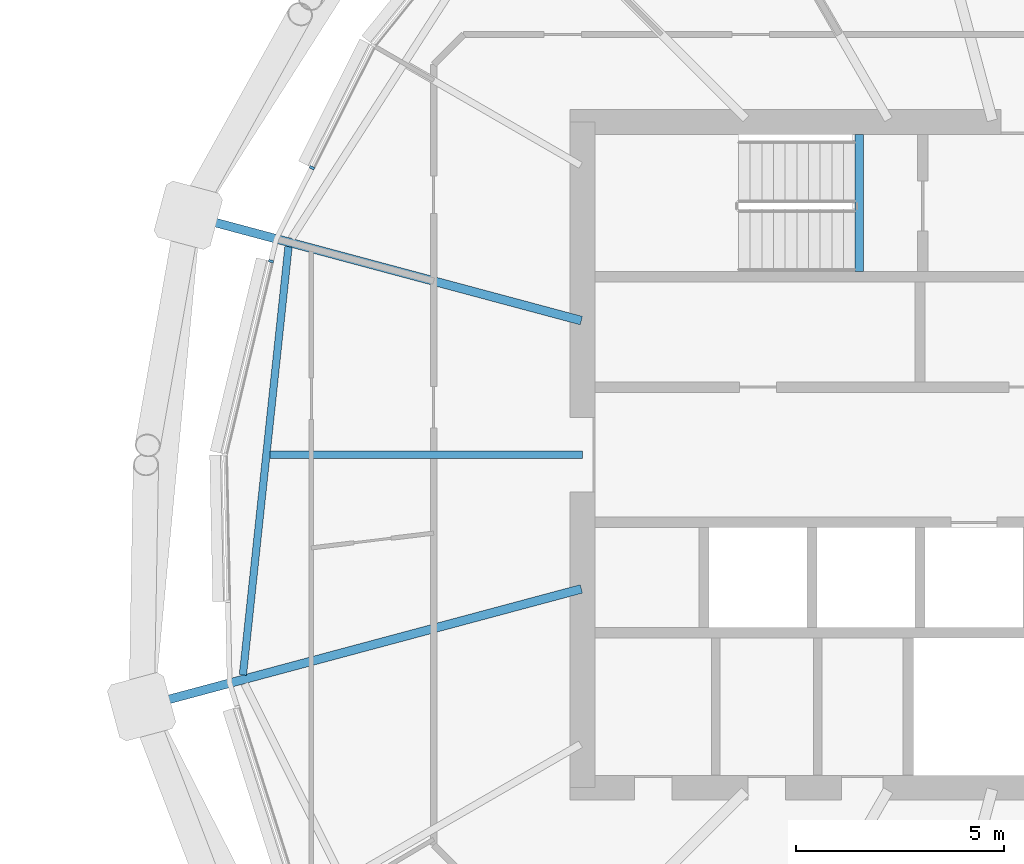
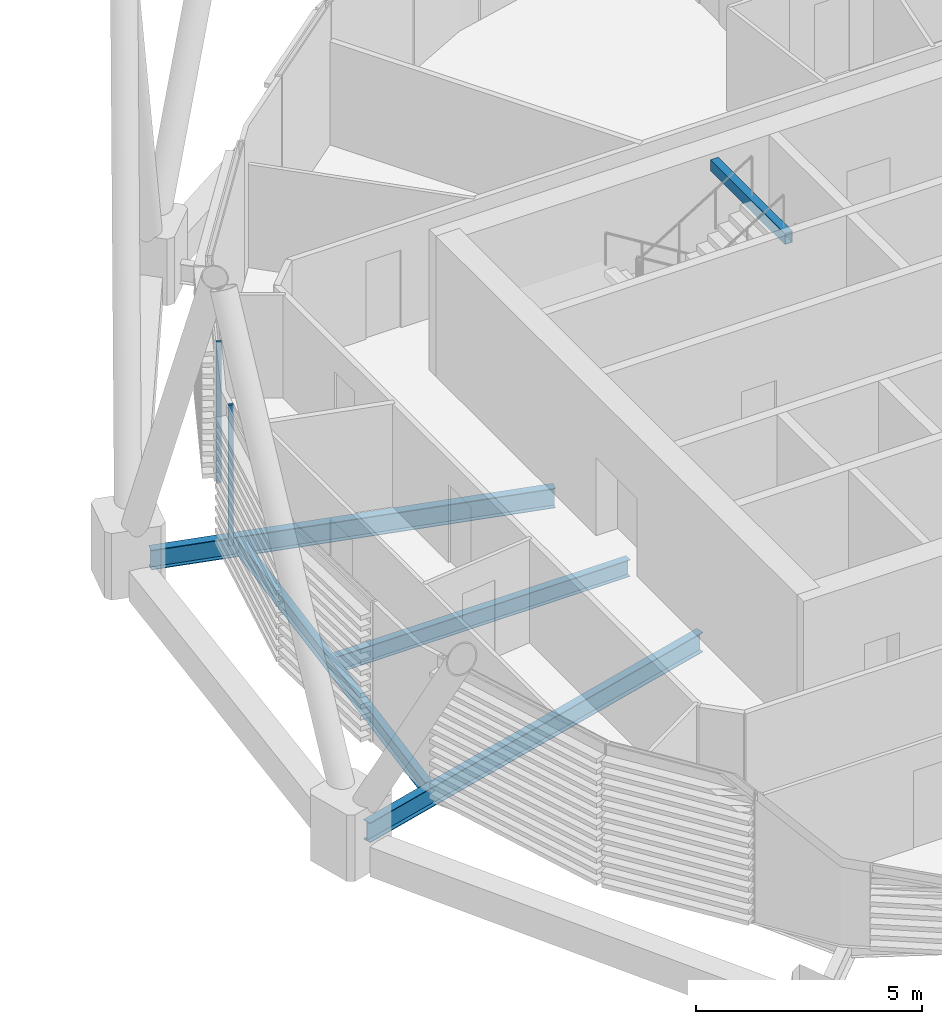
# One storey, part 16 of 35: 5 beams, 2 members, 1 element without a shape of its own.
"""IFC4 building model written with IfcOpenShell, lengths in metres."""

import ifcopenshell
import ifcopenshell.guid

model = None  # the IFC model being written
_history = None  # IfcOwnerHistory: only IFC2X3 demands one
_inside = {}  # id of a spatial element -> (the spatial element, [elements in it])
_under = {}  # id of a project, library or spatial element -> (it, [spatial elements below it])
_declared = {}  # id of a project -> (the project, [libraries it declares])
_typed = {}  # id of a type object -> (the type object, [elements of that type])
_made_of = {}  # id of a material, layer set ... -> (it, [elements and type objects made of it])


def new_model(schema):
    """Start an empty IFC model of exactly this schema.

    Asked for "IFC4X3", IfcOpenShell would pick the latest addendum, in which some entities
    have other attributes; the version numbers below select the first issue.
    IFC2X3 requires an IfcOwnerHistory on every rooted entity: one is made here for all.
    """
    global model, _history
    if schema == "IFC4X3":
        model = ifcopenshell.file(schema_version=(4, 3, 0, 0))
    else:
        model = ifcopenshell.file(schema=schema)
    _inside.clear()
    _under.clear()
    _declared.clear()
    _typed.clear()
    _made_of.clear()
    _history = None
    if model.schema == "IFC2X3":
        org = make("IfcOrganization", Name="unknown")
        user = make(
            "IfcPersonAndOrganization",
            ThePerson=make("IfcPerson", FamilyName="unknown"),
            TheOrganization=org,
        )
        app = make(
            "IfcApplication",
            ApplicationDeveloper=org,
            Version="unknown",
            ApplicationFullName="unknown",
            ApplicationIdentifier="unknown",
        )
        _history = make(
            "IfcOwnerHistory",
            OwningUser=user,
            OwningApplication=app,
            ChangeAction="ADDED",
            CreationDate=0,
        )
    return model


def make(cls, **values):
    """One entity of the class cls with the attributes given. An attribute that is None is left unset."""
    return model.create_entity(
        cls, **{name: value for name, value in values.items() if value is not None}
    )


def rooted(cls, **values):
    """An entity with a GlobalId (a new one), such as an element, a storey or a relation."""
    return make(cls, GlobalId=ifcopenshell.guid.new(), OwnerHistory=_history, **values)


def si_unit(unit_type, name, prefix=None):
    """IfcSIUnit, for example si_unit("LENGTHUNIT", "METRE", prefix="MILLI")."""
    return make("IfcSIUnit", UnitType=unit_type, Prefix=prefix, Name=name)


def assignment(units):
    """IfcUnitAssignment: the units of a project."""
    return None if units is None else make("IfcUnitAssignment", Units=units)


def point(xyz):
    """IfcCartesianPoint."""
    return None if xyz is None else make("IfcCartesianPoint", Coordinates=xyz)


def direction(xyz):
    """IfcDirection."""
    return None if xyz is None else make("IfcDirection", DirectionRatios=xyz)


def frame(location, z_axis=None, x_axis=None):
    """IfcAxis2Placement3D, a coordinate frame: its origin and axes. An axis left out is left unset."""
    return make(
        "IfcAxis2Placement3D",
        Location=point(location),
        Axis=direction(z_axis),
        RefDirection=direction(x_axis),
    )


def frame_2d(location, x_axis=None):
    """IfcAxis2Placement2D, a coordinate frame in the plane: its origin and x axis."""
    return make(
        "IfcAxis2Placement2D", Location=point(location), RefDirection=direction(x_axis)
    )


def origin():
    """The frame at (0, 0, 0) with its axes left unset."""
    return frame((0.0, 0.0, 0.0))


def origin_2d():
    """The frame at (0, 0) in the plane with its x axis left unset."""
    return frame_2d((0.0, 0.0))


def place(relative_to, where):
    """IfcLocalPlacement: puts the frame where relative to a parent placement (None: the world)."""
    return make(
        "IfcLocalPlacement", PlacementRelTo=relative_to, RelativePlacement=where
    )


def context(
    kind, dimensions, precision=None, world=None, true_north=None, identifier=None
):
    """IfcGeometricRepresentationContext, for example the 3D "Model" context."""
    return make(
        "IfcGeometricRepresentationContext",
        ContextIdentifier=identifier,
        ContextType=kind,
        CoordinateSpaceDimension=dimensions,
        Precision=precision,
        WorldCoordinateSystem=world,
        TrueNorth=true_north,
    )


def subcontext(parent, identifier, kind, view, scale=None):
    """IfcGeometricRepresentationSubContext, for example "Body" below "Model"."""
    return make(
        "IfcGeometricRepresentationSubContext",
        ContextIdentifier=identifier,
        ContextType=kind,
        ParentContext=parent,
        TargetScale=scale,
        TargetView=view,
    )


def project(units=None, contexts=None):
    """IfcProject with its units and contexts."""
    return rooted(
        "IfcProject",
        Name="project",
        RepresentationContexts=contexts,
        UnitsInContext=assignment(units),
    )


def spatial(cls, under=None, at=None, **own):
    """A site, building, storey or space (cls), placed at a placement, below another one or the project."""
    s = rooted(cls, ObjectPlacement=at, **own)
    if under is not None:
        _under.setdefault(under.id(), (under, []))[1].append(s)
    return s


def profile(cls, at=None, kind="AREA", **sizes):
    """A parametric profile (cls). Its sizes go by their IFC names, for example OverallWidth=200.0."""
    return make(cls, ProfileType=kind, Position=at, **sizes)


def rectangle(**sizes):
    """IfcRectangleProfileDef."""
    return profile("IfcRectangleProfileDef", **sizes)


def hollow_rectangle(**sizes):
    """IfcRectangleHollowProfileDef."""
    return profile("IfcRectangleHollowProfileDef", **sizes)


def i_section(**sizes):
    """IfcIShapeProfileDef."""
    return profile("IfcIShapeProfileDef", **sizes)


def extrude(swept, where, along, depth):
    """IfcExtrudedAreaSolid: the profile swept, set in the frame where, extruded along a direction by depth."""
    return make(
        "IfcExtrudedAreaSolid",
        SweptArea=swept,
        Position=where,
        ExtrudedDirection=direction(along),
        Depth=depth,
    )


def shape(context_of_items, identifier, shape_type, items):
    """IfcShapeRepresentation: the items that make up one representation, for example the "Body"."""
    return make(
        "IfcShapeRepresentation",
        ContextOfItems=context_of_items,
        RepresentationIdentifier=identifier,
        RepresentationType=shape_type,
        Items=items,
    )


def material(Name=None, Category=None):
    """IfcMaterial."""
    return make("IfcMaterial", Name=Name, Category=Category)


def material_profile(
    of_material, cross_section, Name=None, Category=None, Priority=None
):
    """IfcMaterialProfile: a cross section and its material."""
    return make(
        "IfcMaterialProfile",
        Name=Name,
        Material=of_material,
        Profile=cross_section,
        Priority=Priority,
        Category=Category,
    )


def profile_set(profiles, Name=None, composite=None):
    """IfcMaterialProfileSet."""
    return make(
        "IfcMaterialProfileSet",
        Name=Name,
        MaterialProfiles=profiles,
        CompositeProfile=composite,
    )


def made_of(thing, what):
    """Note that an element or type object is made of a material, layer set ...; save() writes the relation."""
    if what is not None:
        _made_of.setdefault(what.id(), (what, []))[1].append(thing)
    return thing


def type_object(cls, material=None, **own):
    """A type object (cls), such as IfcWallType, which elements share."""
    return made_of(rooted(cls, **own), material)


def element(
    cls,
    number,
    at=None,
    inside=None,
    cuts=None,
    type_object=None,
    material=None,
    context=None,
    identifier="Body",
    shape_type=None,
    held_by="IfcProductDefinitionShape",
    body=None,
    shapes=None,
    **own,
):
    """One element of the class cls, such as IfcWall. Its Tag is "e" and its number.

    at: its placement. inside: the storey or other place that contains it. cuts: it is an
    opening in that element (IfcRelVoidsElement). A single representation is given by context,
    identifier, shape_type and body (its items); several are given by shapes. held_by: the class
    of the entity that holds the representations. save() writes the other relations.
    """
    e = rooted(cls, Tag="e%d" % number, ObjectPlacement=at, **own)
    if body is not None:
        shapes = [shape(context, identifier, shape_type, body)]
    if shapes is not None:
        e.Representation = make(held_by, Representations=shapes)
    if inside is not None:
        _inside.setdefault(inside.id(), (inside, []))[1].append(e)
    if cuts is not None:
        rooted(
            "IfcRelVoidsElement", RelatingBuildingElement=cuts, RelatedOpeningElement=e
        )
    if type_object is not None:
        _typed.setdefault(type_object.id(), (type_object, []))[1].append(e)
    return made_of(e, material)


def aggregate(whole, parts):
    """IfcRelAggregates: a whole, such as a stair, and the parts it consists of."""
    return rooted("IfcRelAggregates", RelatingObject=whole, RelatedObjects=parts)


def save(model, path):
    """Write the relations noted so far, then the file.

    IfcRelAggregates (storeys below a building ...), IfcRelContainedInSpatialStructure (elements
    in a storey), IfcRelDefinesByType, IfcRelAssociatesMaterial and IfcRelDeclares: one each for
    every whole, place, type object, material and project.
    """
    for whole, parts in _under.values():
        aggregate(whole, parts)
    for where, things in _inside.values():
        rooted(
            "IfcRelContainedInSpatialStructure",
            RelatedElements=things,
            RelatingStructure=where,
        )
    for kind, things in _typed.values():
        rooted("IfcRelDefinesByType", RelatedObjects=things, RelatingType=kind)
    for what, things in _made_of.values():
        rooted("IfcRelAssociatesMaterial", RelatedObjects=things, RelatingMaterial=what)
    for by, libraries in _declared.values():
        rooted("IfcRelDeclares", RelatingContext=by, RelatedDefinitions=libraries)
    model.write(path)


model = new_model("IFC4")

# Units and contexts
model_context = context("Model", 3, precision=1e-05, world=origin(), true_north=direction((0.0, 1.0)))
body_context = subcontext(model_context, "Body", "Model", "MODEL_VIEW")
ifc_project = project(units=[si_unit("LENGTHUNIT", "METRE"), si_unit("AREAUNIT", "SQUARE_METRE"), si_unit("VOLUMEUNIT", "CUBIC_METRE"), si_unit("PLANEANGLEUNIT", "RADIAN"), si_unit("MASSUNIT", "GRAM", prefix="KILO")], contexts=[model_context])

# Site, building, storey
site_placement = place(None, origin())
site = spatial("IfcSite", under=ifc_project, at=site_placement, CompositionType="ELEMENT")
building_placement = place(site_placement, origin())
building = spatial("IfcBuilding", under=site, at=building_placement, Name="Rimbun Link Towers", CompositionType="ELEMENT")
storey_placement = place(building_placement, frame((0.0, 0.0, 181.699951171875)))
storey = spatial("IfcBuildingStorey", under=building, at=storey_placement, Name="L44", CompositionType="ELEMENT", Elevation=181.699951171875)

# Curtain wall, members
ifc_material_1 = material(Name="Aluminium 6063-T6 and low-iron glass", Category="aluminium")
curtain_wall_type = type_object("IfcCurtainWallType", Name="CW1-Z3 unitised vision wall (zone 3)", PredefinedType="NOTDEFINED", material=ifc_material_1)
curtain_wall_placement = place(storey_placement, origin())
curtain_wall = element("IfcCurtainWall", 1, at=curtain_wall_placement, inside=storey, type_object=curtain_wall_type, Name="CW1 L44 T2", PredefinedType="NOTDEFINED")
ifc_material_2 = material(Name="Aluminium 6063-T6", Category="aluminium")
ifc_material_profile_1 = material_profile(ifc_material_2, rectangle(XDim=0.1201171875, YDim=0.06005859375, at=origin_2d()), Name="MULLION 60X120")
ifc_profile_set_1 = profile_set([ifc_material_profile_1], Name="Aluminium 6063-T6")
member_type = type_object("IfcMemberType", Name="CW1 mullion 60X120", PredefinedType="MULLION", material=ifc_profile_set_1)
member_1_placement = place(storey_placement, frame((13.25146484375, 6.8955078125, 0.0), z_axis=(0.0, 0.0, 1.0), x_axis=(-0.893641971467, 0.448780599884, 0.0)))
member_1 = element("IfcMember", 2, at=member_1_placement, type_object=member_type, Name="CW1 mullion", PredefinedType="MULLION", context=body_context, shape_type="SweptSolid", body=[
    extrude(rectangle(XDim=0.1201171875, YDim=0.06005859375, at=origin_2d()), origin(), (0.0, 0.0, 1.0), 3.800048828125),
])
member_2_placement = place(storey_placement, frame((12.26611328125, 4.649658203125, 0.0), z_axis=(0.0, 0.0, 1.0), x_axis=(-0.972573434414, 0.232596033225, 0.0)))
member_2 = element("IfcMember", 3, at=member_2_placement, type_object=member_type, Name="CW1 mullion", PredefinedType="MULLION", context=body_context, shape_type="SweptSolid", body=[
    extrude(rectangle(XDim=0.1201171875, YDim=0.06005859375, at=origin_2d()), origin(), (0.0, 0.0, 1.0), 3.800048828125),
])
aggregate(curtain_wall, [member_1, member_2])

# Beams
ifc_material_3 = material(Name="Steel S355J2", Category="steel")
ifc_material_profile_2 = material_profile(ifc_material_3, hollow_rectangle(XDim=0.199951171875, YDim=0.300048828125, WallThickness=0.011962890625, at=origin_2d()), Name="BOX 300x200x12")
ifc_profile_set_2 = profile_set([ifc_material_profile_2], Name="Steel S355J2")
beam_type_1 = type_object("IfcBeamType", Name="Stair trimmer beam BOX 300x200x12", PredefinedType="BEAM", material=ifc_profile_set_2)
beam_1_placement = place(storey_placement, frame((26.39990234375, 7.699951171875, 3.5), z_axis=(0.0, -1.0, 0.0), x_axis=(1.0, 0.0, 0.0)))
element("IfcBeam", 4, at=beam_1_placement, inside=storey, type_object=beam_type_1, Name="L44 ST3 stair beam 1", PredefinedType="BEAM", context=body_context, shape_type="SweptSolid", body=[
    extrude(hollow_rectangle(XDim=0.199951171875, YDim=0.300048828125, WallThickness=0.011962890625, at=origin_2d()), origin(), (0.0, 0.0, 1.0), 3.300048828125),
])
ifc_material_4 = material(Name="Steel S355J2", Category="steel")
ifc_material_profile_3 = material_profile(ifc_material_4, i_section(OverallWidth=0.177978515625, OverallDepth=0.406494140625, WebThickness=0.0078125, FlangeThickness=0.0126953125, at=origin_2d()), Name="UB 406x178x60")
ifc_profile_set_3 = profile_set([ifc_material_profile_3], Name="Steel S355J2")
beam_type_2 = type_object("IfcBeamType", Name="UB 406x178x60", PredefinedType="BEAM", material=ifc_profile_set_3)
beam_2_placement = place(storey_placement, frame((12.687744140625, 4.998291015625, -0.353271484375), z_axis=(-0.105904182473, -0.994376339287, 0.0), x_axis=(0.994376339287, -0.105904182473, 0.0)))
element("IfcBeam", 5, at=beam_2_placement, inside=storey, type_object=beam_type_2, Name="Edge beam T2 L44 08-10", PredefinedType="BEAM", context=body_context, shape_type="SweptSolid", body=[
    extrude(i_section(OverallWidth=0.177978515625, OverallDepth=0.406494140625, WebThickness=0.0078125, FlangeThickness=0.0126953125, at=origin_2d()), origin(), (0.0, 0.0, 1.0), 10.348388671875),
])
ifc_material_5 = material(Name="Steel S355J2", Category="steel")
ifc_material_profile_4 = material_profile(ifc_material_5, i_section(OverallWidth=0.18994140625, OverallDepth=0.453369140625, WebThickness=0.008544921875, FlangeThickness=0.0126953125, at=origin_2d()), Name="UB 457x191x67")
ifc_profile_set_4 = profile_set([ifc_material_profile_4], Name="Steel S355J2")
beam_type_3 = type_object("IfcBeamType", Name="UB 457x191x67", PredefinedType="BEAM", material=ifc_profile_set_4)
beam_3_placement = place(storey_placement, frame((19.7490234375, 0.0, -0.376708984375), z_axis=(-1.0, 0.0, 0.0), x_axis=(0.0, -1.0, 0.0)))
element("IfcBeam", 6, at=beam_3_placement, inside=storey, type_object=beam_type_3, Name="Radial beam T2 L44 09", PredefinedType="BEAM", context=body_context, shape_type="SweptSolid", body=[
    extrude(i_section(OverallWidth=0.18994140625, OverallDepth=0.453369140625, WebThickness=0.008544921875, FlangeThickness=0.0126953125, at=origin_2d()), origin(), (0.0, 0.0, 1.0), 7.503173828125),
])
ifc_material_6 = material(Name="Steel S355J2", Category="steel")
ifc_material_profile_5 = material_profile(ifc_material_6, i_section(OverallWidth=0.209228515625, OverallDepth=0.533203125, WebThickness=0.010009765625, FlangeThickness=0.015625, at=origin_2d()), Name="UB 533x210x92")
ifc_profile_set_5 = profile_set([ifc_material_profile_5], Name="Steel S355J2")
beam_type_4 = type_object("IfcBeamType", Name="UB 533x210x92", PredefinedType="BEAM", material=ifc_profile_set_5)
beam_4_placement = place(storey_placement, frame((19.721923828125, 3.222900390625, -0.41650390625), z_axis=(-0.965922321761, 0.258832123824, 0.0), x_axis=(-0.258832123824, -0.965922321761, 0.0)))
element("IfcBeam", 7, at=beam_4_placement, inside=storey, type_object=beam_type_4, Name="Radial beam T2 L44 08", PredefinedType="BEAM", context=body_context, shape_type="SweptSolid", body=[
    extrude(i_section(OverallWidth=0.209228515625, OverallDepth=0.533203125, WebThickness=0.010009765625, FlangeThickness=0.015625, at=origin_2d()), origin(), (0.0, 0.0, 1.0), 9.27587890625),
])
beam_5_placement = place(storey_placement, frame((19.721923828125, -3.222900390625, -0.41650390625), z_axis=(-0.965920902319, -0.258837420909, 0.0), x_axis=(0.258837420909, -0.965920902319, 0.0)))
element("IfcBeam", 8, at=beam_5_placement, inside=storey, type_object=beam_type_4, Name="Radial beam T2 L44 10", PredefinedType="BEAM", context=body_context, shape_type="SweptSolid", body=[
    extrude(i_section(OverallWidth=0.209228515625, OverallDepth=0.533203125, WebThickness=0.010009765625, FlangeThickness=0.015625, at=origin_2d()), origin(), (0.0, 0.0, 1.0), 10.436767578125),
])

save(model, "model.ifc")
